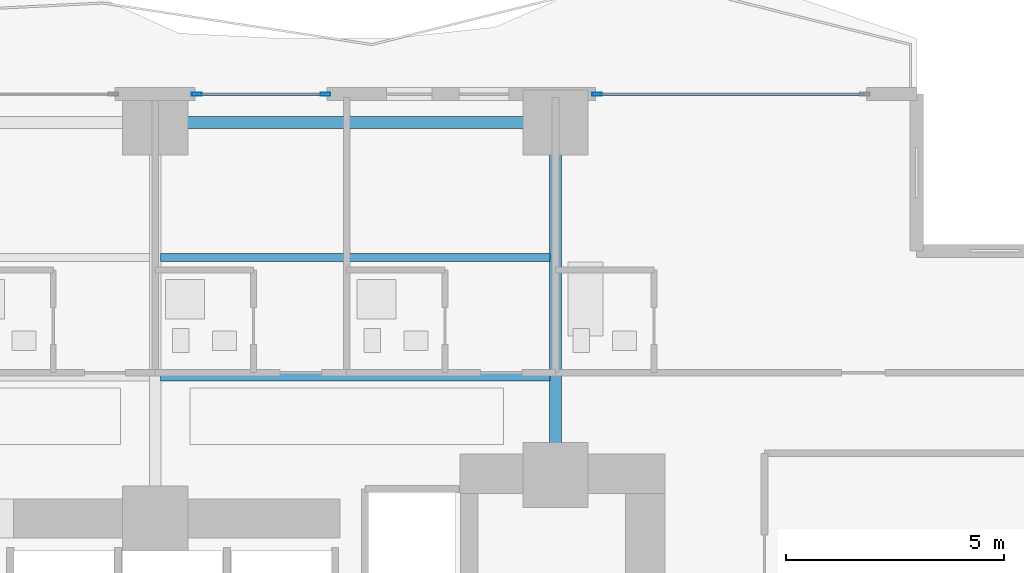
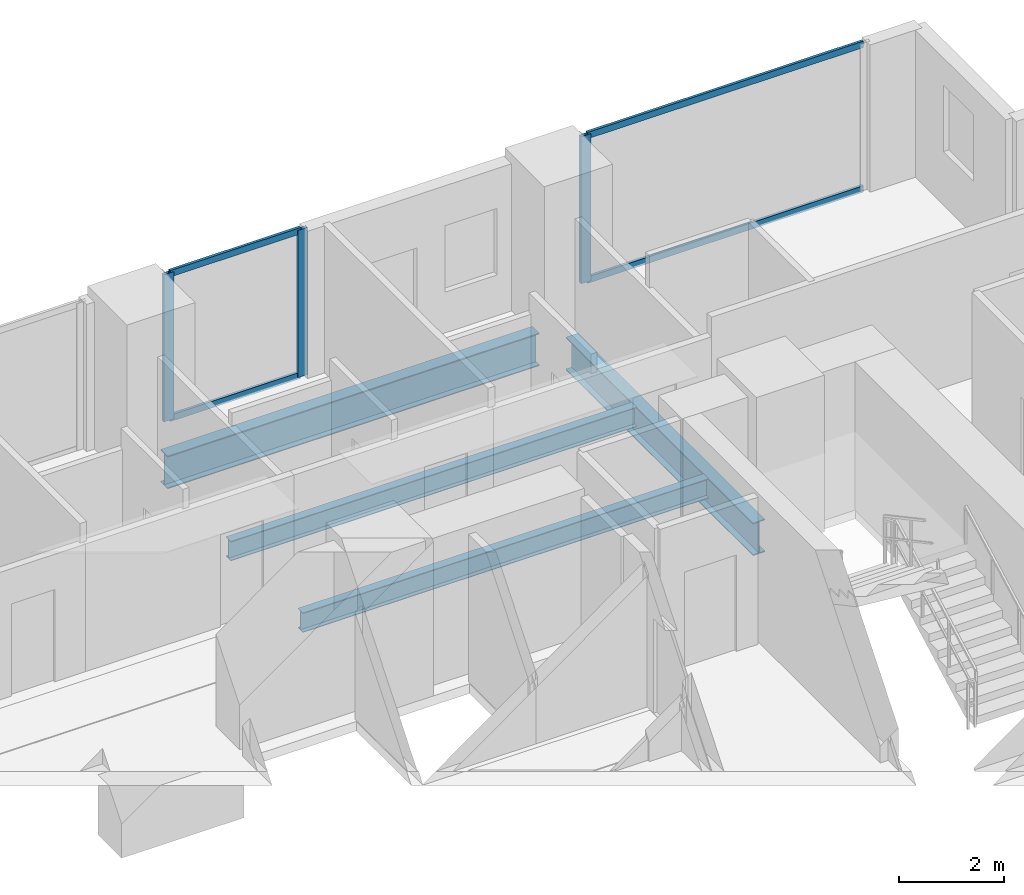
# One storey, part 16 of 29: 7 members, 4 beams, 2 elements without a shape of their own.
"""IFC4 building model written with IfcOpenShell, lengths in metres."""

from ifc_helpers import new_model, si_unit, direction, frame, origin, origin_2d, place, context, subcontext, project, spatial, hollow_rectangle, i_section, extrude, material, layer, layer_set, material_profile, profile_set, type_object, element, aggregate, save


model = new_model("IFC4")

# Units and contexts
model_context = context("Model", 3, precision=1e-05, world=origin(), true_north=direction((0.0, 1.0)))
body_context = subcontext(model_context, "Body", "Model", "MODEL_VIEW")
ifc_project = project(units=[si_unit("LENGTHUNIT", "METRE"), si_unit("AREAUNIT", "SQUARE_METRE"), si_unit("VOLUMEUNIT", "CUBIC_METRE"), si_unit("PLANEANGLEUNIT", "RADIAN"), si_unit("MASSUNIT", "GRAM", prefix="KILO")], contexts=[model_context])

# Site, building, storey
site_placement = place(None, origin())
site = spatial("IfcSite", under=ifc_project, at=site_placement, CompositionType="ELEMENT")
building_placement = place(site_placement, origin())
building = spatial("IfcBuilding", under=site, at=building_placement, Name="Zuhayl Quay Hotel", CompositionType="ELEMENT")
storey_placement = place(building_placement, frame((0.0, 0.0, 67.75)))
storey = spatial("IfcBuildingStorey", under=building, at=storey_placement, Name="L16", CompositionType="ELEMENT", Elevation=67.75)

# Beams
ifc_material_1 = material(Name="Steel ASTM A992 Grade 50", Category="steel")
ifc_material_profile_1 = material_profile(ifc_material_1, i_section(OverallWidth=0.26708984375, OverallDepth=0.761962890625, WebThickness=0.014404296875, FlangeThickness=0.021484375, at=origin_2d()), Name="W30X116")
ifc_profile_set_1 = profile_set([ifc_material_profile_1], Name="Steel ASTM A992 Grade 50")
beam_type_1 = type_object("IfcBeamType", Name="BM_B1_W30X116", PredefinedType="BEAM", material=ifc_profile_set_1)
beam_1_placement = place(storey_placement, frame((13.300048828125, 22.449951171875, -0.60107421875), z_axis=(-1.0, 0.0, 0.0), x_axis=(0.0, -1.0, 0.0)))
element("IfcBeam", 1, at=beam_1_placement, inside=storey, type_object=beam_type_1, Name="L16 Floor Beam RG_L16_07", PredefinedType="BEAM", context=body_context, shape_type="SweptSolid", body=[
    extrude(i_section(OverallWidth=0.26708984375, OverallDepth=0.761962890625, WebThickness=0.014404296875, FlangeThickness=0.021484375, at=origin_2d()), origin(), (0.0, 0.0, 1.0), 8.199951171875),
])
beam_2_placement = place(storey_placement, frame((13.800048828125, 14.800048828125, -0.60107421875), z_axis=(0.0, 1.0, 0.0), x_axis=(-1.0, 0.0, 0.0)))
element("IfcBeam", 2, at=beam_2_placement, inside=storey, type_object=beam_type_1, Name="L16 Floor Beam FG_N_L16_4", PredefinedType="BEAM", context=body_context, shape_type="SweptSolid", body=[
    extrude(i_section(OverallWidth=0.26708984375, OverallDepth=0.761962890625, WebThickness=0.014404296875, FlangeThickness=0.021484375, at=origin_2d()), origin(), (0.0, 0.0, 1.0), 7.14990234375),
])
ifc_material_profile_2 = material_profile(ifc_material_1, i_section(OverallWidth=0.18994140625, OverallDepth=0.45703125, WebThickness=0.009033203125, FlangeThickness=0.014404296875, at=origin_2d()), Name="W18X50")
ifc_profile_set_2 = profile_set([ifc_material_profile_2], Name="Steel ASTM A992 Grade 50")
beam_type_2 = type_object("IfcBeamType", Name="BM_J2_W18X50", PredefinedType="JOIST", material=ifc_profile_set_2)
for number, where, z_axis, x_axis, name in (
    (3, (4.7255859375, 16.60009765625, -0.448486328125), (1.0, 0.0, 0.0), (0.0, 1.0, 0.0), "L16 Floor Beam FJ_L16_1_3"),
    (4, (4.7255859375, 19.35009765625, -0.448486328125), (1.0, 0.0, 0.0), (0.0, 1.0, 0.0), "L16 Floor Beam FJ_L16_2_3"),
):
    element("IfcBeam", number, at=place(storey_placement, frame(where, z_axis=z_axis, x_axis=x_axis)), inside=storey, type_object=beam_type_2, Name=name, PredefinedType="JOIST", context=body_context, shape_type="SweptSolid", body=[
        extrude(i_section(OverallWidth=0.18994140625, OverallDepth=0.45703125, WebThickness=0.009033203125, FlangeThickness=0.014404296875, at=origin_2d()), origin(), (0.0, 0.0, 1.0), 8.948974609375),
    ])

# Curtain wall, members
ifc_material_2 = material(Name="Anodised Aluminium 6063-T6", Category="aluminium")
ifc_layer = layer(ifc_material_2, 0.18994140625, Name="Anodised Aluminium 6063-T6", Category="aluminium")
ifc_layer_set = layer_set([ifc_layer], Name="Anodised Aluminium 6063-T6")
curtain_wall_type = type_object("IfcCurtainWallType", Name="CW_SYS_Z1", PredefinedType="USERDEFINED", material=ifc_layer_set)
curtain_wall_1_placement = place(storey_placement, origin())
curtain_wall_1 = element("IfcCurtainWall", 5, at=curtain_wall_1_placement, inside=storey, type_object=curtain_wall_type, Name="L16 Curtain Wall ENV_L16_N_CW5", ObjectType="UNITISED CURTAIN WALL", PredefinedType="USERDEFINED")
ifc_material_3 = material(Name="Black-anodised aluminium 6063-T6", Category="aluminium")
ifc_material_profile_3 = material_profile(ifc_material_3, hollow_rectangle(XDim=0.074951171875, YDim=0.219970703125, WallThickness=0.00390625, at=origin_2d()), Name="ALU220X75")
ifc_profile_set_3 = profile_set([ifc_material_profile_3], Name="Black-anodised aluminium 6063-T6")
member_type_1 = type_object("IfcMemberType", Name="MB_CW_MUL_220", PredefinedType="MULLION", material=ifc_profile_set_3)
member_1_placement = place(storey_placement, frame((5.5576171875, 23.10009765625, 0.0), z_axis=(0.0, 0.0, 1.0), x_axis=(0.0, 1.0, 0.0)))
member_1 = element("IfcMember", 6, at=member_1_placement, type_object=member_type_1, Name="CW-Z1 mullion 1", PredefinedType="MULLION", context=body_context, shape_type="SweptSolid", body=[
    extrude(hollow_rectangle(XDim=0.074951171875, YDim=0.219970703125, WallThickness=0.00390625, at=origin_2d()), origin(), (0.0, 0.0, 1.0), 3.429931640625),
])
member_2_placement = place(storey_placement, frame((8.512451171875, 23.10009765625, 0.0), z_axis=(0.0, 0.0, 1.0), x_axis=(0.0, 1.0, 0.0)))
member_2 = element("IfcMember", 7, at=member_2_placement, type_object=member_type_1, Name="CW-Z1 mullion 2", PredefinedType="MULLION", context=body_context, shape_type="SweptSolid", body=[
    extrude(hollow_rectangle(XDim=0.074951171875, YDim=0.219970703125, WallThickness=0.00390625, at=origin_2d()), origin(), (0.0, 0.0, 1.0), 3.429931640625),
])

# Curtain wall, member
curtain_wall_2_placement = place(storey_placement, origin())
curtain_wall_2 = element("IfcCurtainWall", 8, at=curtain_wall_2_placement, inside=storey, type_object=curtain_wall_type, Name="L16 Curtain Wall ENV_L16_N_CW6", ObjectType="UNITISED CURTAIN WALL", PredefinedType="USERDEFINED")
member_3_placement = place(storey_placement, frame((14.757568359375, 23.10009765625, 0.0), z_axis=(0.0, 0.0, 1.0), x_axis=(0.0, 1.0, 0.0)))
member_3 = element("IfcMember", 9, at=member_3_placement, type_object=member_type_1, Name="CW-Z1 mullion 1", PredefinedType="MULLION", context=body_context, shape_type="SweptSolid", body=[
    extrude(hollow_rectangle(XDim=0.074951171875, YDim=0.219970703125, WallThickness=0.00390625, at=origin_2d()), origin(), (0.0, 0.0, 1.0), 3.429931640625),
])

# Member
ifc_material_profile_4 = material_profile(ifc_material_3, hollow_rectangle(XDim=0.06005859375, YDim=0.14990234375, WallThickness=0.00341796875, at=origin_2d()), Name="ALU150X60")
ifc_profile_set_4 = profile_set([ifc_material_profile_4], Name="Black-anodised aluminium 6063-T6")
member_type_2 = type_object("IfcMemberType", Name="MB_CW_TRN_150", PredefinedType="USERDEFINED", material=ifc_profile_set_4)
member_4_placement = place(storey_placement, frame((5.594970703125, 23.10009765625, 0.030029296875), z_axis=(1.0, 0.0, 0.0), x_axis=(0.0, 1.0, 0.0)))
member_4 = element("IfcMember", 10, at=member_4_placement, type_object=member_type_2, Name="CW-Z1 transom 1.1", ObjectType="TRANSOM", PredefinedType="USERDEFINED", context=body_context, shape_type="SweptSolid", body=[
    extrude(hollow_rectangle(XDim=0.06005859375, YDim=0.14990234375, WallThickness=0.00341796875, at=origin_2d()), origin(), (0.0, 0.0, 1.0), 2.880126953125),
])

member_5_placement = place(storey_placement, frame((5.594970703125, 23.10009765625, 3.39990234375), z_axis=(1.0, 0.0, 0.0), x_axis=(0.0, 1.0, 0.0)))
member_5 = element("IfcMember", 11, at=member_5_placement, type_object=member_type_2, Name="CW-Z1 transom 1.2", ObjectType="TRANSOM", PredefinedType="USERDEFINED", context=body_context, shape_type="SweptSolid", body=[
    extrude(hollow_rectangle(XDim=0.06005859375, YDim=0.14990234375, WallThickness=0.00341796875, at=origin_2d()), origin(), (0.0, 0.0, 1.0), 2.880126953125),
])

aggregate(curtain_wall_1, [member_1, member_2, member_4, member_5])

member_6_placement = place(storey_placement, frame((14.794921875, 23.10009765625, 0.030029296875), z_axis=(1.0, 0.0, 0.0), x_axis=(0.0, 1.0, 0.0)))
member_6 = element("IfcMember", 12, at=member_6_placement, type_object=member_type_2, Name="CW-Z1 transom 1.1", ObjectType="TRANSOM", PredefinedType="USERDEFINED", context=body_context, shape_type="SweptSolid", body=[
    extrude(hollow_rectangle(XDim=0.06005859375, YDim=0.14990234375, WallThickness=0.00341796875, at=origin_2d()), origin(), (0.0, 0.0, 1.0), 6.080078125),
])

member_7_placement = place(storey_placement, frame((14.794921875, 23.10009765625, 3.39990234375), z_axis=(1.0, 0.0, 0.0), x_axis=(0.0, 1.0, 0.0)))
member_7 = element("IfcMember", 13, at=member_7_placement, type_object=member_type_2, Name="CW-Z1 transom 1.2", ObjectType="TRANSOM", PredefinedType="USERDEFINED", context=body_context, shape_type="SweptSolid", body=[
    extrude(hollow_rectangle(XDim=0.06005859375, YDim=0.14990234375, WallThickness=0.00341796875, at=origin_2d()), origin(), (0.0, 0.0, 1.0), 6.080078125),
])

aggregate(curtain_wall_2, [member_3, member_6, member_7])

save(model, "model.ifc")
